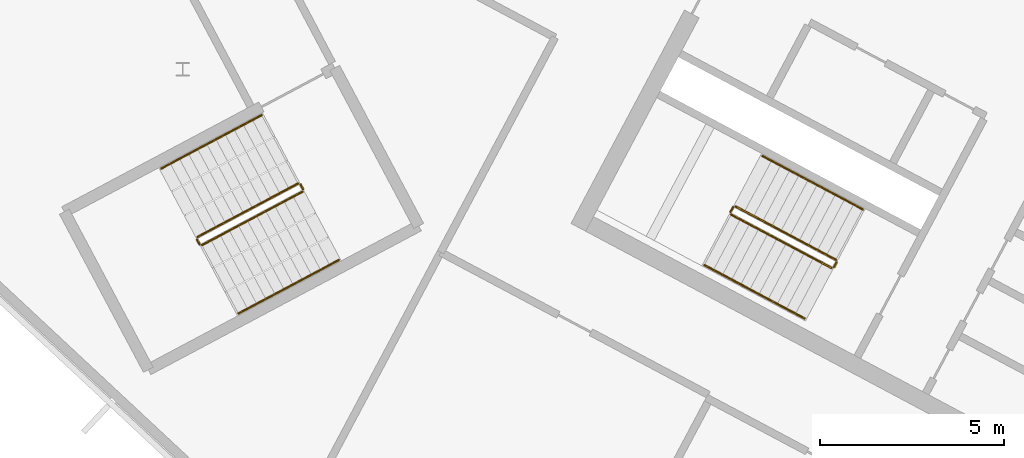
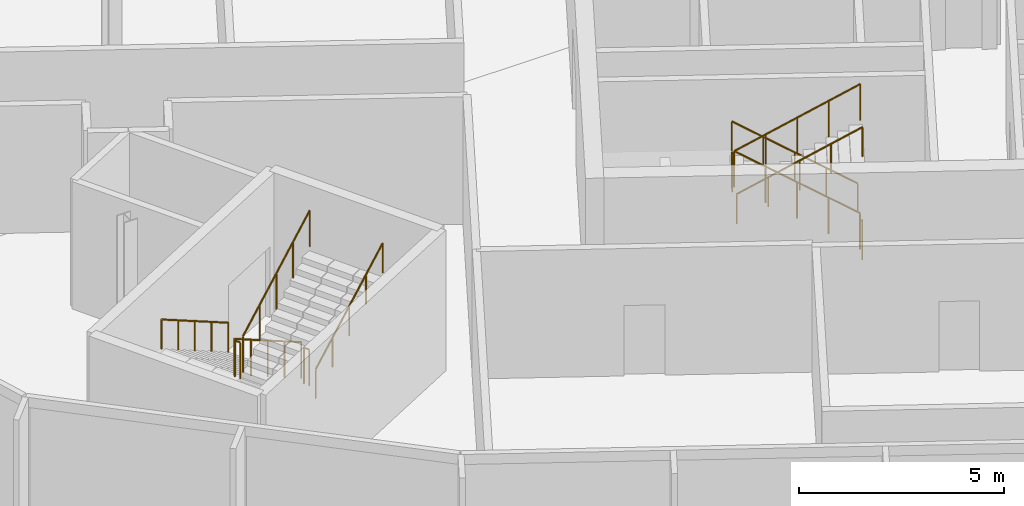
# One storey, part 11 of 15: 12 railings.
"""IFC4 building model written with IfcOpenShell, lengths in metres."""

from ifc_helpers import new_model, si_unit, direction, frame, origin, place, context, subcontext, project, spatial, polyline, outline, extrude, material, type_object, element, save


model = new_model("IFC4")

# Units and contexts
model_context = context("Model", 3, precision=1e-05, world=origin(), true_north=direction((0.0, 1.0)))
body_context = subcontext(model_context, "Body", "Model", "MODEL_VIEW")
ifc_project = project(units=[si_unit("LENGTHUNIT", "METRE"), si_unit("AREAUNIT", "SQUARE_METRE"), si_unit("VOLUMEUNIT", "CUBIC_METRE"), si_unit("PLANEANGLEUNIT", "RADIAN"), si_unit("MASSUNIT", "GRAM", prefix="KILO")], contexts=[model_context])

# Site, building, storey
site_placement = place(None, origin())
site = spatial("IfcSite", under=ifc_project, at=site_placement, CompositionType="ELEMENT")
building_placement = place(site_placement, origin())
building = spatial("IfcBuilding", under=site, at=building_placement, Name="Cormorant Relay Tower", CompositionType="ELEMENT")
storey_placement = place(building_placement, frame((0.0, 0.0, 336.60009765625)))
storey = spatial("IfcBuildingStorey", under=building, at=storey_placement, Name="C3", CompositionType="ELEMENT", Elevation=336.60009765625)

# Railings
ifc_material_1 = material(Name="Steel ASTM A572 Grade 50 (Fy 345 MPa)", Category="steel")
railing_type_1 = type_object("IfcRailingType", Name="Stair guard 1100", PredefinedType="GUARDRAIL", material=ifc_material_1)
railing_1_placement = place(storey_placement, frame((-33.9921875, 10.08935546875, 0.1748046875)))
element("IfcRailing", 1, at=railing_1_placement, inside=storey, type_object=railing_type_1, Name="C3 A2 stair guard 1", PredefinedType="GUARDRAIL", context=body_context, shape_type="SweptSolid", body=[
    extrude(outline(polyline([(0.022216796875, 0.00927734375), (0.00927734375, 0.022216796875), (-0.00927734375, 0.022216796875), (-0.022216796875, 0.00927734375), (-0.022216796875, -0.00927734375), (-0.00927734375, -0.022216796875), (0.00927734375, -0.022216796875), (0.022216796875, -0.00927734375), (0.022216796875, 0.00927734375)])), frame((0.0, 0.0, 1.076171875), z_axis=(-0.748727239859, 0.398124736663, 0.530003975787), x_axis=(-0.469489399267, -0.882938108802, 0.0)), (0.0, 0.0, 1.0), 3.632080078125),
    extrude(outline(polyline([(0.019287109375, 0.008056640625), (0.008056640625, 0.019287109375), (-0.008056640625, 0.019287109375), (-0.019287109375, 0.008056640625), (-0.019287109375, -0.008056640625), (-0.008056640625, -0.019287109375), (0.008056640625, -0.019287109375), (0.019287109375, -0.008056640625), (0.019287109375, 0.008056640625)])), origin(), (0.0, 0.0, 1.0), 1.052001953125),
    extrude(outline(polyline([(0.019287109375, 0.008056640625), (0.008056640625, 0.019287109375), (-0.008056640625, 0.019287109375), (-0.019287109375, 0.008056640625), (-0.019287109375, -0.008056640625), (-0.008056640625, -0.019287109375), (0.008056640625, -0.019287109375), (0.019287109375, -0.008056640625), (0.019287109375, 0.008056640625)])), frame((-0.679931640625, 0.361572265625, 0.481201171875)), (0.0, 0.0, 1.0), 1.052001953125),
    extrude(outline(polyline([(0.019287109375, 0.008056640625), (0.008056640625, 0.019287109375), (-0.008056640625, 0.019287109375), (-0.019287109375, 0.008056640625), (-0.019287109375, -0.008056640625), (-0.008056640625, -0.019287109375), (0.008056640625, -0.019287109375), (0.019287109375, -0.008056640625), (0.019287109375, 0.008056640625)])), frame((-1.35986328125, 0.72314453125, 0.96240234375)), (0.0, 0.0, 1.0), 1.052001953125),
    extrude(outline(polyline([(0.019287109375, 0.008056640625), (0.008056640625, 0.019287109375), (-0.008056640625, 0.019287109375), (-0.019287109375, 0.008056640625), (-0.019287109375, -0.008056640625), (-0.008056640625, -0.019287109375), (0.008056640625, -0.019287109375), (0.019287109375, -0.008056640625), (0.019287109375, 0.008056640625)])), frame((-2.03955078125, 1.08447265625, 1.44384765625)), (0.0, 0.0, 1.0), 1.052001953125),
    extrude(outline(polyline([(0.019287109375, 0.008056640625), (0.008056640625, 0.019287109375), (-0.008056640625, 0.019287109375), (-0.019287109375, 0.008056640625), (-0.019287109375, -0.008056640625), (-0.008056640625, -0.019287109375), (0.008056640625, -0.019287109375), (0.019287109375, -0.008056640625), (0.019287109375, 0.008056640625)])), frame((-2.719482421875, 1.446044921875, 1.925048828125)), (0.0, 0.0, 1.0), 1.052001953125),
])
railing_2_placement = place(storey_placement, frame((-36.779296875, 11.5146484375, 2.099853515625)))
element("IfcRailing", 2, at=railing_2_placement, inside=storey, type_object=railing_type_1, Name="C3 A2 stair guard 2", PredefinedType="GUARDRAIL", context=body_context, shape_type="SweptSolid", body=[
    extrude(outline(polyline([(0.022216796875, 0.00927734375), (0.00927734375, 0.022216796875), (-0.00927734375, 0.022216796875), (-0.022216796875, 0.00927734375), (-0.022216796875, -0.00927734375), (-0.00927734375, -0.022216796875), (0.00927734375, -0.022216796875), (0.022216796875, -0.00927734375), (0.022216796875, 0.00927734375)])), frame((0.0, 0.0, 1.076171875), z_axis=(-0.469234640946, -0.883073525669, 0.0), x_axis=(0.883073525669, -0.469234640946, 0.0)), (0.0, 0.0, 1.0), 0.14990234375),
    extrude(outline(polyline([(0.019287109375, 0.008056640625), (0.008056640625, 0.019287109375), (-0.008056640625, 0.019287109375), (-0.019287109375, 0.008056640625), (-0.019287109375, -0.008056640625), (-0.008056640625, -0.019287109375), (0.008056640625, -0.019287109375), (0.019287109375, -0.008056640625), (0.019287109375, 0.008056640625)])), origin(), (0.0, 0.0, 1.0), 1.052001953125),
    extrude(outline(polyline([(0.019287109375, 0.008056640625), (0.008056640625, 0.019287109375), (-0.008056640625, 0.019287109375), (-0.019287109375, 0.008056640625), (-0.019287109375, -0.008056640625), (-0.008056640625, -0.019287109375), (0.008056640625, -0.019287109375), (0.019287109375, -0.008056640625), (0.019287109375, 0.008056640625)])), frame((-0.0703125, -0.13232421875, 0.0)), (0.0, 0.0, 1.0), 1.052001953125),
])
railing_3_placement = place(storey_placement, frame((-36.8291015625, 11.314697265625, 2.27490234375)))
element("IfcRailing", 3, at=railing_3_placement, inside=storey, type_object=railing_type_1, Name="C3 A2 stair guard 3", PredefinedType="GUARDRAIL", context=body_context, shape_type="SweptSolid", body=[
    extrude(outline(polyline([(0.022216796875, 0.00927734375), (0.00927734375, 0.022216796875), (-0.00927734375, 0.022216796875), (-0.022216796875, 0.00927734375), (-0.022216796875, -0.00927734375), (-0.00927734375, -0.022216796875), (0.00927734375, -0.022216796875), (0.022216796875, -0.00927734375), (0.022216796875, 0.00927734375)])), frame((0.0, 0.0, 1.076171875), z_axis=(0.748727239859, -0.398124736663, 0.530003975787), x_axis=(0.469489399267, 0.882938108802, 0.0)), (0.0, 0.0, 1.0), 3.632080078125),
    extrude(outline(polyline([(0.019287109375, 0.008056640625), (0.008056640625, 0.019287109375), (-0.008056640625, 0.019287109375), (-0.019287109375, 0.008056640625), (-0.019287109375, -0.008056640625), (-0.008056640625, -0.019287109375), (0.008056640625, -0.019287109375), (0.019287109375, -0.008056640625), (0.019287109375, 0.008056640625)])), origin(), (0.0, 0.0, 1.0), 1.052001953125),
    extrude(outline(polyline([(0.019287109375, 0.008056640625), (0.008056640625, 0.019287109375), (-0.008056640625, 0.019287109375), (-0.019287109375, 0.008056640625), (-0.019287109375, -0.008056640625), (-0.008056640625, -0.019287109375), (0.008056640625, -0.019287109375), (0.019287109375, -0.008056640625), (0.019287109375, 0.008056640625)])), frame((0.679931640625, -0.361572265625, 0.481201171875)), (0.0, 0.0, 1.0), 1.052001953125),
    extrude(outline(polyline([(0.019287109375, 0.008056640625), (0.008056640625, 0.019287109375), (-0.008056640625, 0.019287109375), (-0.019287109375, 0.008056640625), (-0.019287109375, -0.008056640625), (-0.008056640625, -0.019287109375), (0.008056640625, -0.019287109375), (0.019287109375, -0.008056640625), (0.019287109375, 0.008056640625)])), frame((1.35986328125, -0.72314453125, 0.96240234375)), (0.0, 0.0, 1.0), 1.052001953125),
    extrude(outline(polyline([(0.019287109375, 0.008056640625), (0.008056640625, 0.019287109375), (-0.008056640625, 0.019287109375), (-0.019287109375, 0.008056640625), (-0.019287109375, -0.008056640625), (-0.008056640625, -0.019287109375), (0.008056640625, -0.019287109375), (0.019287109375, -0.008056640625), (0.019287109375, 0.008056640625)])), frame((2.03955078125, -1.08447265625, 1.44384765625)), (0.0, 0.0, 1.0), 1.052001953125),
    extrude(outline(polyline([(0.019287109375, 0.008056640625), (0.008056640625, 0.019287109375), (-0.008056640625, 0.019287109375), (-0.019287109375, 0.008056640625), (-0.019287109375, -0.008056640625), (-0.008056640625, -0.019287109375), (0.008056640625, -0.019287109375), (0.019287109375, -0.008056640625), (0.019287109375, 0.008056640625)])), frame((2.719482421875, -1.446044921875, 1.925048828125)), (0.0, 0.0, 1.0), 1.052001953125),
])
railing_4_placement = place(storey_placement, frame((-33.971435546875, 10.021728515625, 0.0)))
element("IfcRailing", 4, at=railing_4_placement, inside=storey, type_object=railing_type_1, Name="C3 A2 stair guard 4", PredefinedType="GUARDRAIL", context=body_context, shape_type="SweptSolid", body=[
    extrude(outline(polyline([(0.022216796875, 0.00927734375), (0.00927734375, 0.022216796875), (-0.00927734375, 0.022216796875), (-0.022216796875, 0.00927734375), (-0.022216796875, -0.00927734375), (-0.00927734375, -0.022216796875), (0.00927734375, -0.022216796875), (0.022216796875, -0.00927734375), (0.022216796875, 0.00927734375)])), frame((0.0, 0.0, 1.076171875), z_axis=(-0.470503732759, -0.882398003998, 0.0), x_axis=(0.882398003998, -0.470503732759, 0.0)), (0.0, 0.0, 1.0), 0.14990234375),
    extrude(outline(polyline([(0.019287109375, 0.008056640625), (0.008056640625, 0.019287109375), (-0.008056640625, 0.019287109375), (-0.019287109375, 0.008056640625), (-0.019287109375, -0.008056640625), (-0.008056640625, -0.019287109375), (0.008056640625, -0.019287109375), (0.019287109375, -0.008056640625), (0.019287109375, 0.008056640625)])), origin(), (0.0, 0.0, 1.0), 1.052001953125),
    extrude(outline(polyline([(0.019287109375, 0.008056640625), (0.008056640625, 0.019287109375), (-0.008056640625, 0.019287109375), (-0.019287109375, 0.008056640625), (-0.019287109375, -0.008056640625), (-0.008056640625, -0.019287109375), (0.008056640625, -0.019287109375), (0.019287109375, -0.008056640625), (0.019287109375, 0.008056640625)])), frame((-0.070556640625, -0.13232421875, 0.0)), (0.0, 0.0, 1.0), 1.052001953125),
])
railing_5_placement = place(storey_placement, frame((-48.5693359375, 12.155517578125, 0.1748046875)))
element("IfcRailing", 5, at=railing_5_placement, inside=storey, type_object=railing_type_1, Name="C3 RP1 stair guard 1", PredefinedType="GUARDRAIL", context=body_context, shape_type="SweptSolid", body=[
    extrude(outline(polyline([(0.022216796875, 0.00927734375), (0.00927734375, 0.022216796875), (-0.00927734375, 0.022216796875), (-0.022216796875, 0.00927734375), (-0.022216796875, -0.00927734375), (-0.00927734375, -0.022216796875), (0.00927734375, -0.022216796875), (0.022216796875, -0.00927734375), (0.022216796875, 0.00927734375)])), frame((0.0, 0.0, 1.076171875), z_axis=(-0.748727239859, -0.398124736663, 0.530003975787), x_axis=(0.469489399267, -0.882938108802, 0.0)), (0.0, 0.0, 1.0), 3.632080078125),
    extrude(outline(polyline([(0.019287109375, 0.008056640625), (0.008056640625, 0.019287109375), (-0.008056640625, 0.019287109375), (-0.019287109375, 0.008056640625), (-0.019287109375, -0.008056640625), (-0.008056640625, -0.019287109375), (0.008056640625, -0.019287109375), (0.019287109375, -0.008056640625), (0.019287109375, 0.008056640625)])), origin(), (0.0, 0.0, 1.0), 1.052001953125),
    extrude(outline(polyline([(0.019287109375, 0.008056640625), (0.008056640625, 0.019287109375), (-0.008056640625, 0.019287109375), (-0.019287109375, 0.008056640625), (-0.019287109375, -0.008056640625), (-0.008056640625, -0.019287109375), (0.008056640625, -0.019287109375), (0.019287109375, -0.008056640625), (0.019287109375, 0.008056640625)])), frame((-0.679931640625, -0.361572265625, 0.481201171875)), (0.0, 0.0, 1.0), 1.052001953125),
    extrude(outline(polyline([(0.019287109375, 0.008056640625), (0.008056640625, 0.019287109375), (-0.008056640625, 0.019287109375), (-0.019287109375, 0.008056640625), (-0.019287109375, -0.008056640625), (-0.008056640625, -0.019287109375), (0.008056640625, -0.019287109375), (0.019287109375, -0.008056640625), (0.019287109375, 0.008056640625)])), frame((-1.35986328125, -0.72314453125, 0.96240234375)), (0.0, 0.0, 1.0), 1.052001953125),
    extrude(outline(polyline([(0.019287109375, 0.008056640625), (0.008056640625, 0.019287109375), (-0.008056640625, 0.019287109375), (-0.019287109375, 0.008056640625), (-0.019287109375, -0.008056640625), (-0.008056640625, -0.019287109375), (0.008056640625, -0.019287109375), (0.019287109375, -0.008056640625), (0.019287109375, 0.008056640625)])), frame((-2.03955078125, -1.08447265625, 1.44384765625)), (0.0, 0.0, 1.0), 1.052001953125),
    extrude(outline(polyline([(0.019287109375, 0.008056640625), (0.008056640625, 0.019287109375), (-0.008056640625, 0.019287109375), (-0.019287109375, 0.008056640625), (-0.019287109375, -0.008056640625), (-0.008056640625, -0.019287109375), (0.008056640625, -0.019287109375), (0.019287109375, -0.008056640625), (0.019287109375, 0.008056640625)])), frame((-2.719482421875, -1.446044921875, 1.925048828125)), (0.0, 0.0, 1.0), 1.052001953125),
])
railing_6_placement = place(storey_placement, frame((-51.3095703125, 10.641845703125, 2.099853515625)))
element("IfcRailing", 6, at=railing_6_placement, inside=storey, type_object=railing_type_1, Name="C3 RP1 stair guard 2", PredefinedType="GUARDRAIL", context=body_context, shape_type="SweptSolid", body=[
    extrude(outline(polyline([(0.022216796875, 0.00927734375), (0.00927734375, 0.022216796875), (-0.00927734375, 0.022216796875), (-0.022216796875, 0.00927734375), (-0.022216796875, -0.00927734375), (-0.00927734375, -0.022216796875), (0.00927734375, -0.022216796875), (0.022216796875, -0.00927734375), (0.022216796875, 0.00927734375)])), frame((0.0, 0.0, 1.076171875), z_axis=(0.469828648786, -0.882757634224, 0.0), x_axis=(0.882757634224, 0.469828648786, 0.0)), (0.0, 0.0, 1.0), 0.150146484375),
    extrude(outline(polyline([(0.019287109375, 0.008056640625), (0.008056640625, 0.019287109375), (-0.008056640625, 0.019287109375), (-0.019287109375, 0.008056640625), (-0.019287109375, -0.008056640625), (-0.008056640625, -0.019287109375), (0.008056640625, -0.019287109375), (0.019287109375, -0.008056640625), (0.019287109375, 0.008056640625)])), origin(), (0.0, 0.0, 1.0), 1.052001953125),
    extrude(outline(polyline([(0.019287109375, 0.008056640625), (0.008056640625, 0.019287109375), (-0.008056640625, 0.019287109375), (-0.019287109375, 0.008056640625), (-0.019287109375, -0.008056640625), (-0.008056640625, -0.019287109375), (0.008056640625, -0.019287109375), (0.019287109375, -0.008056640625), (0.019287109375, 0.008056640625)])), frame((0.070556640625, -0.132568359375, 0.0)), (0.0, 0.0, 1.0), 1.052001953125),
])
railing_7_placement = place(storey_placement, frame((-51.17138671875, 10.48876953125, 2.27490234375)))
element("IfcRailing", 7, at=railing_7_placement, inside=storey, type_object=railing_type_1, Name="C3 RP1 stair guard 3", PredefinedType="GUARDRAIL", context=body_context, shape_type="SweptSolid", body=[
    extrude(outline(polyline([(0.022216796875, 0.00927734375), (0.00927734375, 0.022216796875), (-0.00927734375, 0.022216796875), (-0.022216796875, 0.00927734375), (-0.022216796875, -0.00927734375), (-0.00927734375, -0.022216796875), (0.00927734375, -0.022216796875), (0.022216796875, -0.00927734375), (0.022216796875, 0.00927734375)])), frame((0.0, 0.0, 1.076171875), z_axis=(0.748747275397, 0.39806817173, 0.530018158408), x_axis=(-0.469427602063, 0.882970965786, 0.0)), (0.0, 0.0, 1.0), 3.632080078125),
    extrude(outline(polyline([(0.019287109375, 0.008056640625), (0.008056640625, 0.019287109375), (-0.008056640625, 0.019287109375), (-0.019287109375, 0.008056640625), (-0.019287109375, -0.008056640625), (-0.008056640625, -0.019287109375), (0.008056640625, -0.019287109375), (0.019287109375, -0.008056640625), (0.019287109375, 0.008056640625)])), origin(), (0.0, 0.0, 1.0), 1.052001953125),
    extrude(outline(polyline([(0.019287109375, 0.008056640625), (0.008056640625, 0.019287109375), (-0.008056640625, 0.019287109375), (-0.019287109375, 0.008056640625), (-0.019287109375, -0.008056640625), (-0.008056640625, -0.019287109375), (0.008056640625, -0.019287109375), (0.019287109375, -0.008056640625), (0.019287109375, 0.008056640625)])), frame((0.679931640625, 0.361328125, 0.481201171875)), (0.0, 0.0, 1.0), 1.052001953125),
    extrude(outline(polyline([(0.019287109375, 0.008056640625), (0.008056640625, 0.019287109375), (-0.008056640625, 0.019287109375), (-0.019287109375, 0.008056640625), (-0.019287109375, -0.008056640625), (-0.008056640625, -0.019287109375), (0.008056640625, -0.019287109375), (0.019287109375, -0.008056640625), (0.019287109375, 0.008056640625)])), frame((1.35986328125, 0.722900390625, 0.96240234375)), (0.0, 0.0, 1.0), 1.052001953125),
    extrude(outline(polyline([(0.019287109375, 0.008056640625), (0.008056640625, 0.019287109375), (-0.008056640625, 0.019287109375), (-0.019287109375, 0.008056640625), (-0.019287109375, -0.008056640625), (-0.008056640625, -0.019287109375), (0.008056640625, -0.019287109375), (0.019287109375, -0.008056640625), (0.019287109375, 0.008056640625)])), frame((2.03955078125, 1.08447265625, 1.44384765625)), (0.0, 0.0, 1.0), 1.052001953125),
    extrude(outline(polyline([(0.019287109375, 0.008056640625), (0.008056640625, 0.019287109375), (-0.008056640625, 0.019287109375), (-0.019287109375, 0.008056640625), (-0.019287109375, -0.008056640625), (-0.008056640625, -0.019287109375), (0.008056640625, -0.019287109375), (0.019287109375, -0.008056640625), (0.019287109375, 0.008056640625)])), frame((2.719482421875, 1.44580078125, 1.925048828125)), (0.0, 0.0, 1.0), 1.052001953125),
])
railing_8_placement = place(storey_placement, frame((-48.501708984375, 12.134765625, 0.0)))
element("IfcRailing", 8, at=railing_8_placement, inside=storey, type_object=railing_type_1, Name="C3 RP1 stair guard 4", PredefinedType="GUARDRAIL", context=body_context, shape_type="SweptSolid", body=[
    extrude(outline(polyline([(0.022216796875, 0.00927734375), (0.00927734375, 0.022216796875), (-0.00927734375, 0.022216796875), (-0.022216796875, 0.00927734375), (-0.022216796875, -0.00927734375), (-0.00927734375, -0.022216796875), (0.00927734375, -0.022216796875), (0.022216796875, -0.00927734375), (0.022216796875, 0.00927734375)])), frame((0.0, 0.0, 1.076171875), z_axis=(0.46856034887, -0.8834314911, 0.0), x_axis=(0.8834314911, 0.46856034887, 0.0)), (0.0, 0.0, 1.0), 0.150146484375),
    extrude(outline(polyline([(0.019287109375, 0.008056640625), (0.008056640625, 0.019287109375), (-0.008056640625, 0.019287109375), (-0.019287109375, 0.008056640625), (-0.019287109375, -0.008056640625), (-0.008056640625, -0.019287109375), (0.008056640625, -0.019287109375), (0.019287109375, -0.008056640625), (0.019287109375, 0.008056640625)])), origin(), (0.0, 0.0, 1.0), 1.052001953125),
    extrude(outline(polyline([(0.019287109375, 0.008056640625), (0.008056640625, 0.019287109375), (-0.008056640625, 0.019287109375), (-0.019287109375, 0.008056640625), (-0.019287109375, -0.008056640625), (-0.008056640625, -0.019287109375), (0.008056640625, -0.019287109375), (0.019287109375, -0.008056640625), (0.019287109375, 0.008056640625)])), frame((0.0703125, -0.132568359375, 0.0)), (0.0, 0.0, 1.0), 1.052001953125),
])
ifc_material_2 = material(Name="Steel ASTM A572 Grade 50 (Fy 345 MPa)", Category="steel")
railing_type_2 = type_object("IfcRailingType", Name="Stair handrail 900", PredefinedType="HANDRAIL", material=ifc_material_2)
railing_9_placement = place(storey_placement, frame((-33.264404296875, 11.4580078125, 0.1748046875)))
element("IfcRailing", 9, at=railing_9_placement, inside=storey, type_object=railing_type_2, Name="C3 A2 stair handrail 1", PredefinedType="HANDRAIL", context=body_context, shape_type="SweptSolid", body=[
    extrude(outline(polyline([(0.022216796875, 0.00927734375), (0.00927734375, 0.022216796875), (-0.00927734375, 0.022216796875), (-0.022216796875, 0.00927734375), (-0.022216796875, -0.00927734375), (-0.00927734375, -0.022216796875), (0.00927734375, -0.022216796875), (0.022216796875, -0.00927734375), (0.022216796875, 0.00927734375)])), frame((0.0, 0.0, 0.8759765625), z_axis=(-0.748747275397, 0.39806817173, 0.530018158408), x_axis=(-0.469427602063, -0.882970965786, 0.0)), (0.0, 0.0, 1.0), 3.632080078125),
    extrude(outline(polyline([(0.019287109375, 0.008056640625), (0.008056640625, 0.019287109375), (-0.008056640625, 0.019287109375), (-0.019287109375, 0.008056640625), (-0.019287109375, -0.008056640625), (-0.008056640625, -0.019287109375), (0.008056640625, -0.019287109375), (0.019287109375, -0.008056640625), (0.019287109375, 0.008056640625)])), origin(), (0.0, 0.0, 1.0), 0.851806640625),
    extrude(outline(polyline([(0.019287109375, 0.008056640625), (0.008056640625, 0.019287109375), (-0.008056640625, 0.019287109375), (-0.019287109375, 0.008056640625), (-0.019287109375, -0.008056640625), (-0.008056640625, -0.019287109375), (0.008056640625, -0.019287109375), (0.019287109375, -0.008056640625), (0.019287109375, 0.008056640625)])), frame((-0.679931640625, 0.361328125, 0.481201171875)), (0.0, 0.0, 1.0), 0.851806640625),
    extrude(outline(polyline([(0.019287109375, 0.008056640625), (0.008056640625, 0.019287109375), (-0.008056640625, 0.019287109375), (-0.019287109375, 0.008056640625), (-0.019287109375, -0.008056640625), (-0.008056640625, -0.019287109375), (0.008056640625, -0.019287109375), (0.019287109375, -0.008056640625), (0.019287109375, 0.008056640625)])), frame((-1.35986328125, 0.722900390625, 0.96240234375)), (0.0, 0.0, 1.0), 0.851806640625),
    extrude(outline(polyline([(0.019287109375, 0.008056640625), (0.008056640625, 0.019287109375), (-0.008056640625, 0.019287109375), (-0.019287109375, 0.008056640625), (-0.019287109375, -0.008056640625), (-0.008056640625, -0.019287109375), (0.008056640625, -0.019287109375), (0.019287109375, -0.008056640625), (0.019287109375, 0.008056640625)])), frame((-2.03955078125, 1.08447265625, 1.44384765625)), (0.0, 0.0, 1.0), 0.851806640625),
    extrude(outline(polyline([(0.019287109375, 0.008056640625), (0.008056640625, 0.019287109375), (-0.008056640625, 0.019287109375), (-0.019287109375, 0.008056640625), (-0.019287109375, -0.008056640625), (-0.008056640625, -0.019287109375), (0.008056640625, -0.019287109375), (0.019287109375, -0.008056640625), (0.019287109375, 0.008056640625)])), frame((-2.719482421875, 1.44580078125, 1.925048828125)), (0.0, 0.0, 1.0), 0.851806640625),
])
railing_10_placement = place(storey_placement, frame((-37.556640625, 9.946044921875, 2.27490234375)))
element("IfcRailing", 10, at=railing_10_placement, inside=storey, type_object=railing_type_2, Name="C3 A2 stair handrail 2", PredefinedType="HANDRAIL", context=body_context, shape_type="SweptSolid", body=[
    extrude(outline(polyline([(0.022216796875, 0.00927734375), (0.00927734375, 0.022216796875), (-0.00927734375, 0.022216796875), (-0.022216796875, 0.00927734375), (-0.022216796875, -0.00927734375), (-0.00927734375, -0.022216796875), (0.00927734375, -0.022216796875), (0.022216796875, -0.00927734375), (0.022216796875, 0.00927734375)])), frame((0.0, 0.0, 0.8759765625), z_axis=(0.748727239859, -0.398124736663, 0.530003975787), x_axis=(0.469489399267, 0.882938108802, 0.0)), (0.0, 0.0, 1.0), 3.632080078125),
    extrude(outline(polyline([(0.019287109375, 0.008056640625), (0.008056640625, 0.019287109375), (-0.008056640625, 0.019287109375), (-0.019287109375, 0.008056640625), (-0.019287109375, -0.008056640625), (-0.008056640625, -0.019287109375), (0.008056640625, -0.019287109375), (0.019287109375, -0.008056640625), (0.019287109375, 0.008056640625)])), origin(), (0.0, 0.0, 1.0), 0.851806640625),
    extrude(outline(polyline([(0.019287109375, 0.008056640625), (0.008056640625, 0.019287109375), (-0.008056640625, 0.019287109375), (-0.019287109375, 0.008056640625), (-0.019287109375, -0.008056640625), (-0.008056640625, -0.019287109375), (0.008056640625, -0.019287109375), (0.019287109375, -0.008056640625), (0.019287109375, 0.008056640625)])), frame((0.679931640625, -0.361572265625, 0.481201171875)), (0.0, 0.0, 1.0), 0.851806640625),
    extrude(outline(polyline([(0.019287109375, 0.008056640625), (0.008056640625, 0.019287109375), (-0.008056640625, 0.019287109375), (-0.019287109375, 0.008056640625), (-0.019287109375, -0.008056640625), (-0.008056640625, -0.019287109375), (0.008056640625, -0.019287109375), (0.019287109375, -0.008056640625), (0.019287109375, 0.008056640625)])), frame((1.35986328125, -0.72314453125, 0.96240234375)), (0.0, 0.0, 1.0), 0.851806640625),
    extrude(outline(polyline([(0.019287109375, 0.008056640625), (0.008056640625, 0.019287109375), (-0.008056640625, 0.019287109375), (-0.019287109375, 0.008056640625), (-0.019287109375, -0.008056640625), (-0.008056640625, -0.019287109375), (0.008056640625, -0.019287109375), (0.019287109375, -0.008056640625), (0.019287109375, 0.008056640625)])), frame((2.03955078125, -1.08447265625, 1.44384765625)), (0.0, 0.0, 1.0), 0.851806640625),
    extrude(outline(polyline([(0.019287109375, 0.008056640625), (0.008056640625, 0.019287109375), (-0.008056640625, 0.019287109375), (-0.019287109375, 0.008056640625), (-0.019287109375, -0.008056640625), (-0.008056640625, -0.019287109375), (0.008056640625, -0.019287109375), (0.019287109375, -0.008056640625), (0.019287109375, 0.008056640625)])), frame((2.719482421875, -1.446044921875, 1.925048828125)), (0.0, 0.0, 1.0), 0.851806640625),
])
railing_11_placement = place(storey_placement, frame((-49.55517578125, 14.009521484375, 0.1748046875)))
element("IfcRailing", 11, at=railing_11_placement, inside=storey, type_object=railing_type_2, Name="C3 RP1 stair handrail 1", PredefinedType="HANDRAIL", context=body_context, shape_type="SweptSolid", body=[
    extrude(outline(polyline([(0.022216796875, 0.00927734375), (0.00927734375, 0.022216796875), (-0.00927734375, 0.022216796875), (-0.022216796875, 0.00927734375), (-0.022216796875, -0.00927734375), (-0.00927734375, -0.022216796875), (0.00927734375, -0.022216796875), (0.022216796875, -0.00927734375), (0.022216796875, 0.00927734375)])), frame((0.0, 0.0, 0.8759765625), z_axis=(-0.748747275397, -0.39806817173, 0.530018158408), x_axis=(0.469427602063, -0.882970965786, 0.0)), (0.0, 0.0, 1.0), 3.632080078125),
    extrude(outline(polyline([(0.019287109375, 0.008056640625), (0.008056640625, 0.019287109375), (-0.008056640625, 0.019287109375), (-0.019287109375, 0.008056640625), (-0.019287109375, -0.008056640625), (-0.008056640625, -0.019287109375), (0.008056640625, -0.019287109375), (0.019287109375, -0.008056640625), (0.019287109375, 0.008056640625)])), origin(), (0.0, 0.0, 1.0), 0.851806640625),
    extrude(outline(polyline([(0.019287109375, 0.008056640625), (0.008056640625, 0.019287109375), (-0.008056640625, 0.019287109375), (-0.019287109375, 0.008056640625), (-0.019287109375, -0.008056640625), (-0.008056640625, -0.019287109375), (0.008056640625, -0.019287109375), (0.019287109375, -0.008056640625), (0.019287109375, 0.008056640625)])), frame((-0.679931640625, -0.361328125, 0.481201171875)), (0.0, 0.0, 1.0), 0.851806640625),
    extrude(outline(polyline([(0.019287109375, 0.008056640625), (0.008056640625, 0.019287109375), (-0.008056640625, 0.019287109375), (-0.019287109375, 0.008056640625), (-0.019287109375, -0.008056640625), (-0.008056640625, -0.019287109375), (0.008056640625, -0.019287109375), (0.019287109375, -0.008056640625), (0.019287109375, 0.008056640625)])), frame((-1.35986328125, -0.722900390625, 0.96240234375)), (0.0, 0.0, 1.0), 0.851806640625),
    extrude(outline(polyline([(0.019287109375, 0.008056640625), (0.008056640625, 0.019287109375), (-0.008056640625, 0.019287109375), (-0.019287109375, 0.008056640625), (-0.019287109375, -0.008056640625), (-0.008056640625, -0.019287109375), (0.008056640625, -0.019287109375), (0.019287109375, -0.008056640625), (0.019287109375, 0.008056640625)])), frame((-2.03955078125, -1.08447265625, 1.44384765625)), (0.0, 0.0, 1.0), 0.851806640625),
    extrude(outline(polyline([(0.019287109375, 0.008056640625), (0.008056640625, 0.019287109375), (-0.008056640625, 0.019287109375), (-0.019287109375, 0.008056640625), (-0.019287109375, -0.008056640625), (-0.008056640625, -0.019287109375), (0.008056640625, -0.019287109375), (0.019287109375, -0.008056640625), (0.019287109375, 0.008056640625)])), frame((-2.719482421875, -1.44580078125, 1.925048828125)), (0.0, 0.0, 1.0), 0.851806640625),
])
railing_12_placement = place(storey_placement, frame((-50.185546875, 8.634521484375, 2.27490234375)))
element("IfcRailing", 12, at=railing_12_placement, inside=storey, type_object=railing_type_2, Name="C3 RP1 stair handrail 2", PredefinedType="HANDRAIL", context=body_context, shape_type="SweptSolid", body=[
    extrude(outline(polyline([(0.022216796875, 0.00927734375), (0.00927734375, 0.022216796875), (-0.00927734375, 0.022216796875), (-0.022216796875, 0.00927734375), (-0.022216796875, -0.00927734375), (-0.00927734375, -0.022216796875), (0.00927734375, -0.022216796875), (0.022216796875, -0.00927734375), (0.022216796875, 0.00927734375)])), frame((0.0, 0.0, 0.8759765625), z_axis=(0.748727239859, 0.398124736663, 0.530003975787), x_axis=(-0.469489399267, 0.882938108802, 0.0)), (0.0, 0.0, 1.0), 3.632080078125),
    extrude(outline(polyline([(0.019287109375, 0.008056640625), (0.008056640625, 0.019287109375), (-0.008056640625, 0.019287109375), (-0.019287109375, 0.008056640625), (-0.019287109375, -0.008056640625), (-0.008056640625, -0.019287109375), (0.008056640625, -0.019287109375), (0.019287109375, -0.008056640625), (0.019287109375, 0.008056640625)])), origin(), (0.0, 0.0, 1.0), 0.851806640625),
    extrude(outline(polyline([(0.019287109375, 0.008056640625), (0.008056640625, 0.019287109375), (-0.008056640625, 0.019287109375), (-0.019287109375, 0.008056640625), (-0.019287109375, -0.008056640625), (-0.008056640625, -0.019287109375), (0.008056640625, -0.019287109375), (0.019287109375, -0.008056640625), (0.019287109375, 0.008056640625)])), frame((0.679931640625, 0.361572265625, 0.481201171875)), (0.0, 0.0, 1.0), 0.851806640625),
    extrude(outline(polyline([(0.019287109375, 0.008056640625), (0.008056640625, 0.019287109375), (-0.008056640625, 0.019287109375), (-0.019287109375, 0.008056640625), (-0.019287109375, -0.008056640625), (-0.008056640625, -0.019287109375), (0.008056640625, -0.019287109375), (0.019287109375, -0.008056640625), (0.019287109375, 0.008056640625)])), frame((1.35986328125, 0.72314453125, 0.96240234375)), (0.0, 0.0, 1.0), 0.851806640625),
    extrude(outline(polyline([(0.019287109375, 0.008056640625), (0.008056640625, 0.019287109375), (-0.008056640625, 0.019287109375), (-0.019287109375, 0.008056640625), (-0.019287109375, -0.008056640625), (-0.008056640625, -0.019287109375), (0.008056640625, -0.019287109375), (0.019287109375, -0.008056640625), (0.019287109375, 0.008056640625)])), frame((2.03955078125, 1.08447265625, 1.44384765625)), (0.0, 0.0, 1.0), 0.851806640625),
    extrude(outline(polyline([(0.019287109375, 0.008056640625), (0.008056640625, 0.019287109375), (-0.008056640625, 0.019287109375), (-0.019287109375, 0.008056640625), (-0.019287109375, -0.008056640625), (-0.008056640625, -0.019287109375), (0.008056640625, -0.019287109375), (0.019287109375, -0.008056640625), (0.019287109375, 0.008056640625)])), frame((2.719482421875, 1.446044921875, 1.925048828125)), (0.0, 0.0, 1.0), 0.851806640625),
])

save(model, "model.ifc")
